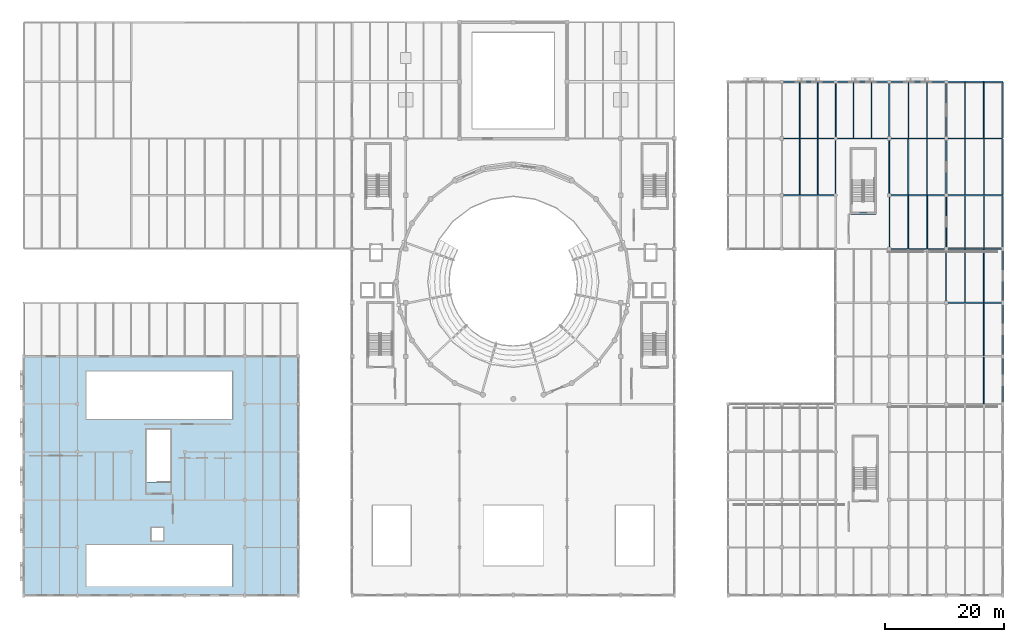
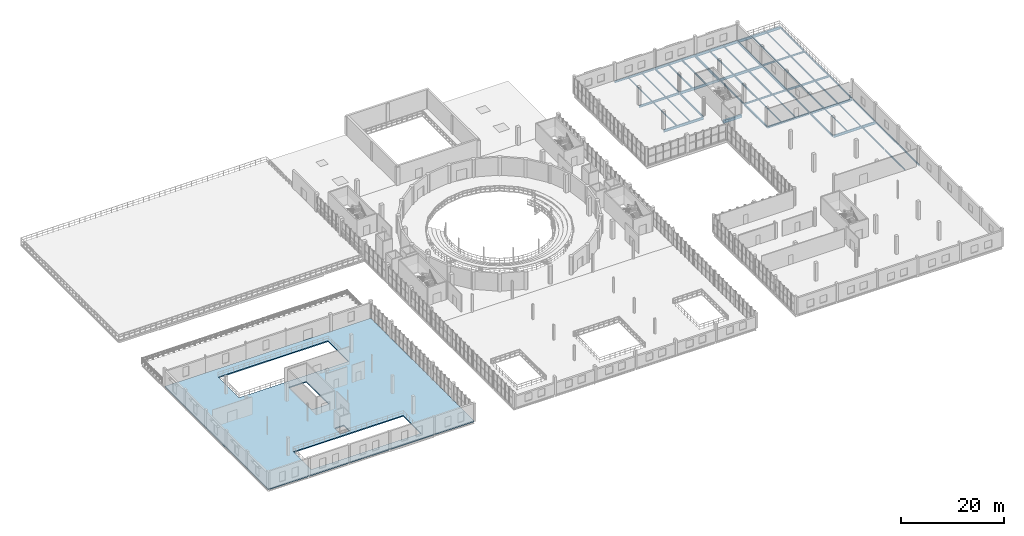
# One storey, part 44 of 73: 52 beams, 1 slab.
"""IFC4 building model written with IfcOpenShell, lengths in metres."""

from ifc_helpers import new_model, si_unit, direction, frame, origin, origin_2d, place, context, subcontext, project, spatial, polyline, rectangle, i_section, outline, extrude, material, layer, layer_set, material_profile, profile_set, type_object, element, save


model = new_model("IFC4")

# Units and contexts
model_context = context("Model", 3, precision=1e-05, world=origin(), true_north=direction((0.0, 1.0)))
body_context = subcontext(model_context, "Body", "Model", "MODEL_VIEW")
ifc_project = project(units=[si_unit("LENGTHUNIT", "METRE"), si_unit("AREAUNIT", "SQUARE_METRE"), si_unit("VOLUMEUNIT", "CUBIC_METRE"), si_unit("PLANEANGLEUNIT", "RADIAN"), si_unit("MASSUNIT", "GRAM", prefix="KILO")], contexts=[model_context])

# Site, building, storey
site_placement = place(None, origin())
site = spatial("IfcSite", under=ifc_project, at=site_placement, CompositionType="ELEMENT")
building_placement = place(site_placement, origin())
building = spatial("IfcBuilding", under=site, at=building_placement, Name="Marnock Terrace Opera House", CompositionType="ELEMENT")
storey_placement = place(building_placement, frame((0.0, 0.0, 14.699951171875)))
storey = spatial("IfcBuildingStorey", under=building, at=storey_placement, Name="L03", CompositionType="ELEMENT", Elevation=14.699951171875)

# Beams
ifc_material_1 = material(Name="Steel Grade 350 (AS/NZS 3679.1)", Category="steel")
ifc_material_profile_1 = material_profile(ifc_material_1, i_section(OverallWidth=0.1708984375, OverallDepth=0.355712890625, WebThickness=0.00732421875, FlangeThickness=0.011474609375, FilletRadius=0.011474609375, at=origin_2d()))
ifc_profile_set_1 = profile_set([ifc_material_profile_1], Name="Steel Grade 350 (AS/NZS 3679.1)")
beam_type_1 = type_object("IfcBeamType", Name="BM-GIRD-360", PredefinedType="BEAM", material=ifc_profile_set_1)
for number, where, z_axis, x_axis, name in (
    (1, (136.0, 84.550048828125, -0.437744140625), (0.0, 1.0, 0.0), (-1.0, 0.0, 0.0), "L03 girder (X=136.0, 84.5..94.0)"),
    (2, (145.0, 75.050048828125, -0.437744140625), (0.0, 1.0, 0.0), (-1.0, 0.0, 0.0), "L03 girder (X=145.0, 75.0..84.5)"),
):
    element("IfcBeam", number, at=place(storey_placement, frame(where, z_axis=z_axis, x_axis=x_axis)), inside=storey, type_object=beam_type_1, Name=name, PredefinedType="BEAM", context=body_context, shape_type="SweptSolid", body=[
        extrude(i_section(OverallWidth=0.1708984375, OverallDepth=0.355712890625, WebThickness=0.00732421875, FlangeThickness=0.011474609375, FilletRadius=0.011474609375, at=origin_2d()), origin(), (0.0, 0.0, 1.0), 9.39990234375),
    ])
beam_1_placement = place(storey_placement, frame((154.5, 66.050048828125, -0.44775390625), z_axis=(0.0, 1.0, 0.0), x_axis=(-1.0, 0.0, 0.0)))
element("IfcBeam", 3, at=beam_1_placement, inside=storey, type_object=beam_type_1, Name="L03 girder (X=154.5, 66.0..75.0)", PredefinedType="BEAM", context=body_context, shape_type="SweptSolid", body=[
    extrude(i_section(OverallWidth=0.1708984375, OverallDepth=0.355712890625, WebThickness=0.00732421875, FlangeThickness=0.011474609375, FilletRadius=0.011474609375, at=origin_2d()), origin(), (0.0, 0.0, 1.0), 8.89990234375),
])
ifc_material_profile_2 = material_profile(ifc_material_1, i_section(OverallWidth=0.177978515625, OverallDepth=0.402587890625, WebThickness=0.007568359375, FlangeThickness=0.010986328125, FilletRadius=0.011474609375, at=origin_2d()))
ifc_profile_set_2 = profile_set([ifc_material_profile_2], Name="Steel Grade 350 (AS/NZS 3679.1)")
beam_type_2 = type_object("IfcBeamType", Name="BM-GIRD-410", PredefinedType="BEAM", material=ifc_profile_set_2)
for number, where, z_axis, x_axis, name in (
    (4, (145.050048828125, 75.0, -0.47119140625), (1.0, 0.0, 0.0), (0.0, 1.0, 0.0), "L03 girder (145.0..154.5, Y=75.0)"),
    (5, (154.550048828125, 84.5, -0.47119140625), (1.0, 0.0, 0.0), (0.0, 1.0, 0.0), "L03 girder (154.5..164.0, Y=84.5)"),
):
    element("IfcBeam", number, at=place(storey_placement, frame(where, z_axis=z_axis, x_axis=x_axis)), inside=storey, type_object=beam_type_2, Name=name, PredefinedType="BEAM", context=body_context, shape_type="SweptSolid", body=[
        extrude(i_section(OverallWidth=0.177978515625, OverallDepth=0.402587890625, WebThickness=0.007568359375, FlangeThickness=0.010986328125, FilletRadius=0.011474609375, at=origin_2d()), origin(), (0.0, 0.0, 1.0), 9.39990234375),
    ])
ifc_material_profile_3 = material_profile(ifc_material_1, i_section(OverallWidth=0.19091796875, OverallDepth=0.46044921875, WebThickness=0.010009765625, FlangeThickness=0.01611328125, FilletRadius=0.011474609375, at=origin_2d()))
ifc_profile_set_3 = profile_set([ifc_material_profile_3], Name="Steel Grade 350 (AS/NZS 3679.1)")
beam_type_3 = type_object("IfcBeamType", Name="BM-GIRD-460A", PredefinedType="BEAM", material=ifc_profile_set_3)
for number, where, z_axis, x_axis, name in (
    (6, (145.050048828125, 66.0, -0.500244140625), (1.0, 0.0, 0.0), (0.0, 1.0, 0.0), "L03 girder (145.0..154.5, Y=66.0)"),
    (7, (154.550048828125, 75.0, -0.500244140625), (1.0, 0.0, 0.0), (0.0, 1.0, 0.0), "L03 girder (154.5..164.0, Y=75.0)"),
):
    element("IfcBeam", number, at=place(storey_placement, frame(where, z_axis=z_axis, x_axis=x_axis)), inside=storey, type_object=beam_type_3, Name=name, PredefinedType="BEAM", context=body_context, shape_type="SweptSolid", body=[
        extrude(i_section(OverallWidth=0.19091796875, OverallDepth=0.46044921875, WebThickness=0.010009765625, FlangeThickness=0.01611328125, FilletRadius=0.011474609375, at=origin_2d()), origin(), (0.0, 0.0, 1.0), 9.39990234375),
    ])
beam_2_placement = place(storey_placement, frame((127.050048828125, 94.0, -0.490234375), z_axis=(1.0, 0.0, 0.0), x_axis=(0.0, 1.0, 0.0)))
element("IfcBeam", 8, at=beam_2_placement, inside=storey, type_object=beam_type_3, Name="L03 girder (127.0..136.0, Y=94.0)", PredefinedType="BEAM", context=body_context, shape_type="SweptSolid", body=[
    extrude(i_section(OverallWidth=0.19091796875, OverallDepth=0.46044921875, WebThickness=0.010009765625, FlangeThickness=0.01611328125, FilletRadius=0.011474609375, at=origin_2d()), origin(), (0.0, 0.0, 1.0), 8.89990234375),
])
ifc_material_profile_4 = material_profile(ifc_material_1, i_section(OverallWidth=0.18994140625, OverallDepth=0.45751953125, WebThickness=0.009033203125, FlangeThickness=0.014404296875, FilletRadius=0.011474609375, at=origin_2d()))
ifc_profile_set_4 = profile_set([ifc_material_profile_4], Name="Steel Grade 350 (AS/NZS 3679.1)")
beam_type_4 = type_object("IfcBeamType", Name="BM-GIRD-460B", PredefinedType="BEAM", material=ifc_profile_set_4)
beam_3_placement = place(storey_placement, frame((136.0, 75.050048828125, -0.48876953125), z_axis=(0.0, 1.0, 0.0), x_axis=(-1.0, 0.0, 0.0)))
element("IfcBeam", 9, at=beam_3_placement, inside=storey, type_object=beam_type_4, Name="L03 girder (X=136.0, 75.0..84.5)", PredefinedType="BEAM", context=body_context, shape_type="SweptSolid", body=[
    extrude(i_section(OverallWidth=0.18994140625, OverallDepth=0.45751953125, WebThickness=0.009033203125, FlangeThickness=0.014404296875, FilletRadius=0.011474609375, at=origin_2d()), origin(), (0.0, 0.0, 1.0), 9.39990234375),
])
for number, where, z_axis, x_axis, name in (
    (10, (145.0, 66.050048828125, -0.48876953125), (0.0, 1.0, 0.0), (-1.0, 0.0, 0.0), "L03 girder (X=145.0, 66.0..75.0)"),
    (11, (154.5, 57.050048828125, -0.49853515625), (0.0, 1.0, 0.0), (-1.0, 0.0, 0.0), "L03 girder (X=154.5, 57.0..66.0)"),
):
    element("IfcBeam", number, at=place(storey_placement, frame(where, z_axis=z_axis, x_axis=x_axis)), inside=storey, type_object=beam_type_4, Name=name, PredefinedType="BEAM", context=body_context, shape_type="SweptSolid", body=[
        extrude(i_section(OverallWidth=0.18994140625, OverallDepth=0.45751953125, WebThickness=0.009033203125, FlangeThickness=0.014404296875, FilletRadius=0.011474609375, at=origin_2d()), origin(), (0.0, 0.0, 1.0), 8.89990234375),
    ])
ifc_material_profile_5 = material_profile(ifc_material_1, i_section(OverallWidth=0.208984375, OverallDepth=0.532958984375, WebThickness=0.01025390625, FlangeThickness=0.015625, FilletRadius=0.013916015625, at=origin_2d()))
ifc_profile_set_5 = profile_set([ifc_material_profile_5], Name="Steel Grade 350 (AS/NZS 3679.1)")
beam_type_5 = type_object("IfcBeamType", Name="BM-GIRD-530A", PredefinedType="BEAM", material=ifc_profile_set_5)
beam_4_placement = place(storey_placement, frame((154.550048828125, 66.0, -0.536376953125), z_axis=(1.0, 0.0, 0.0), x_axis=(0.0, 1.0, 0.0)))
element("IfcBeam", 12, at=beam_4_placement, inside=storey, type_object=beam_type_5, Name="L03 girder (154.5..164.0, Y=66.0)", PredefinedType="BEAM", context=body_context, shape_type="SweptSolid", body=[
    extrude(i_section(OverallWidth=0.208984375, OverallDepth=0.532958984375, WebThickness=0.01025390625, FlangeThickness=0.015625, FilletRadius=0.013916015625, at=origin_2d()), origin(), (0.0, 0.0, 1.0), 9.39990234375),
])
for number, where, z_axis, x_axis, name in (
    (13, (127.050048828125, 84.5, -0.5263671875), (1.0, 0.0, 0.0), (0.0, 1.0, 0.0), "L03 girder (127.0..136.0, Y=84.5)"),
    (14, (136.050048828125, 94.0, -0.5263671875), (1.0, 0.0, 0.0), (0.0, 1.0, 0.0), "L03 girder (136.0..145.0, Y=94.0)"),
):
    element("IfcBeam", number, at=place(storey_placement, frame(where, z_axis=z_axis, x_axis=x_axis)), inside=storey, type_object=beam_type_5, Name=name, PredefinedType="BEAM", context=body_context, shape_type="SweptSolid", body=[
        extrude(i_section(OverallWidth=0.208984375, OverallDepth=0.532958984375, WebThickness=0.01025390625, FlangeThickness=0.015625, FilletRadius=0.013916015625, at=origin_2d()), origin(), (0.0, 0.0, 1.0), 8.89990234375),
    ])
ifc_material_profile_6 = material_profile(ifc_material_1, i_section(OverallWidth=0.208984375, OverallDepth=0.528076171875, WebThickness=0.009521484375, FlangeThickness=0.01318359375, FilletRadius=0.013916015625, at=origin_2d()))
ifc_profile_set_6 = profile_set([ifc_material_profile_6], Name="Steel Grade 350 (AS/NZS 3679.1)")
beam_type_6 = type_object("IfcBeamType", Name="BM-GIRD-530B", PredefinedType="BEAM", material=ifc_profile_set_6)
beam_5_placement = place(storey_placement, frame((154.5, 84.550048828125, -0.533935546875), z_axis=(0.0, 1.0, 0.0), x_axis=(-1.0, 0.0, 0.0)))
element("IfcBeam", 15, at=beam_5_placement, inside=storey, type_object=beam_type_6, Name="L03 girder (X=154.5, 84.5..94.0)", PredefinedType="BEAM", context=body_context, shape_type="SweptSolid", body=[
    extrude(i_section(OverallWidth=0.208984375, OverallDepth=0.528076171875, WebThickness=0.009521484375, FlangeThickness=0.01318359375, FilletRadius=0.013916015625, at=origin_2d()), origin(), (0.0, 0.0, 1.0), 9.39990234375),
])
ifc_material_profile_7 = material_profile(ifc_material_1, i_section(OverallWidth=0.22900390625, OverallDepth=0.611572265625, WebThickness=0.011962890625, FlangeThickness=0.01953125, FilletRadius=0.013916015625, at=origin_2d()))
ifc_profile_set_7 = profile_set([ifc_material_profile_7], Name="Steel Grade 350 (AS/NZS 3679.1)")
beam_type_7 = type_object("IfcBeamType", Name="BM-GIRD-610A", PredefinedType="BEAM", material=ifc_profile_set_7)
for number, where, z_axis, x_axis, name in (
    (16, (145.050048828125, 84.5, -0.57568359375), (1.0, 0.0, 0.0), (0.0, 1.0, 0.0), "L03 girder (145.0..154.5, Y=84.5)"),
    (17, (154.550048828125, 94.0, -0.57568359375), (1.0, 0.0, 0.0), (0.0, 1.0, 0.0), "L03 girder (154.5..164.0, Y=94.0)"),
):
    element("IfcBeam", number, at=place(storey_placement, frame(where, z_axis=z_axis, x_axis=x_axis)), inside=storey, type_object=beam_type_7, Name=name, PredefinedType="BEAM", context=body_context, shape_type="SweptSolid", body=[
        extrude(i_section(OverallWidth=0.22900390625, OverallDepth=0.611572265625, WebThickness=0.011962890625, FlangeThickness=0.01953125, FilletRadius=0.013916015625, at=origin_2d()), origin(), (0.0, 0.0, 1.0), 9.39990234375),
    ])
ifc_material_profile_8 = material_profile(ifc_material_1, i_section(OverallWidth=0.22802734375, OverallDepth=0.60693359375, WebThickness=0.01123046875, FlangeThickness=0.017333984375, FilletRadius=0.013916015625, at=origin_2d()))
ifc_profile_set_8 = profile_set([ifc_material_profile_8], Name="Steel Grade 350 (AS/NZS 3679.1)")
beam_type_8 = type_object("IfcBeamType", Name="BM-GIRD-610B", PredefinedType="BEAM", material=ifc_profile_set_8)
beam_6_placement = place(storey_placement, frame((154.550048828125, 57.0, -0.5634765625), z_axis=(1.0, 0.0, 0.0), x_axis=(0.0, 1.0, 0.0)))
element("IfcBeam", 18, at=beam_6_placement, inside=storey, type_object=beam_type_8, Name="L03 girder (154.5..164.0, Y=57.0)", PredefinedType="BEAM", context=body_context, shape_type="SweptSolid", body=[
    extrude(i_section(OverallWidth=0.22802734375, OverallDepth=0.60693359375, WebThickness=0.01123046875, FlangeThickness=0.017333984375, FilletRadius=0.013916015625, at=origin_2d()), origin(), (0.0, 0.0, 1.0), 9.39990234375),
])
for number, where, z_axis, x_axis, name in (
    (19, (127.050048828125, 75.0, -0.5634765625), (1.0, 0.0, 0.0), (0.0, 1.0, 0.0), "L03 girder (127.0..136.0, Y=75.0)"),
    (20, (136.050048828125, 84.5, -0.5634765625), (1.0, 0.0, 0.0), (0.0, 1.0, 0.0), "L03 girder (136.0..145.0, Y=84.5)"),
):
    element("IfcBeam", number, at=place(storey_placement, frame(where, z_axis=z_axis, x_axis=x_axis)), inside=storey, type_object=beam_type_8, Name=name, PredefinedType="BEAM", context=body_context, shape_type="SweptSolid", body=[
        extrude(i_section(OverallWidth=0.22802734375, OverallDepth=0.60693359375, WebThickness=0.01123046875, FlangeThickness=0.017333984375, FilletRadius=0.013916015625, at=origin_2d()), origin(), (0.0, 0.0, 1.0), 8.89990234375),
    ])
beam_7_placement = place(storey_placement, frame((145.050048828125, 94.0, -0.573486328125), z_axis=(1.0, 0.0, 0.0), x_axis=(0.0, 1.0, 0.0)))
element("IfcBeam", 21, at=beam_7_placement, inside=storey, type_object=beam_type_8, Name="L03 girder (145.0..154.5, Y=94.0)", PredefinedType="BEAM", context=body_context, shape_type="SweptSolid", body=[
    extrude(i_section(OverallWidth=0.22802734375, OverallDepth=0.60693359375, WebThickness=0.01123046875, FlangeThickness=0.017333984375, FilletRadius=0.013916015625, at=origin_2d()), origin(), (0.0, 0.0, 1.0), 9.39990234375),
])
ifc_material_profile_9 = material_profile(ifc_material_1, i_section(OverallWidth=0.22802734375, OverallDepth=0.60205078125, WebThickness=0.010498046875, FlangeThickness=0.014892578125, FilletRadius=0.013916015625, at=origin_2d()))
ifc_profile_set_9 = profile_set([ifc_material_profile_9], Name="Steel Grade 350 (AS/NZS 3679.1)")
beam_type_9 = type_object("IfcBeamType", Name="BM-GIRD-610C", PredefinedType="BEAM", material=ifc_profile_set_9)
for number, where, z_axis, x_axis, name in (
    (22, (145.0, 84.550048828125, -0.56103515625), (0.0, 1.0, 0.0), (-1.0, 0.0, 0.0), "L03 girder (X=145.0, 84.5..94.0)"),
    (23, (154.5, 75.050048828125, -0.571044921875), (0.0, 1.0, 0.0), (-1.0, 0.0, 0.0), "L03 girder (X=154.5, 75.0..84.5)"),
):
    element("IfcBeam", number, at=place(storey_placement, frame(where, z_axis=z_axis, x_axis=x_axis)), inside=storey, type_object=beam_type_9, Name=name, PredefinedType="BEAM", context=body_context, shape_type="SweptSolid", body=[
        extrude(i_section(OverallWidth=0.22802734375, OverallDepth=0.60205078125, WebThickness=0.010498046875, FlangeThickness=0.014892578125, FilletRadius=0.013916015625, at=origin_2d()), origin(), (0.0, 0.0, 1.0), 9.39990234375),
    ])
ifc_material_profile_10 = material_profile(ifc_material_1, i_section(OverallWidth=0.14599609375, OverallDepth=0.256103515625, WebThickness=0.00634765625, FlangeThickness=0.010986328125, FilletRadius=0.0087890625, at=origin_2d()))
ifc_profile_set_10 = profile_set([ifc_material_profile_10], Name="Steel Grade 350 (AS/NZS 3679.1)")
beam_type_10 = type_object("IfcBeamType", Name="BM-JOIST-250", PredefinedType="JOIST", material=ifc_profile_set_10)
for number, where, z_axis, x_axis, name in (
    (24, (130.0, 84.599609375, -0.387939453125), (0.0, 1.0, 0.0), (-1.0, 0.0, 0.0), "L03 secondary joist 14.10.1"),
    (25, (133.0, 84.599609375, -0.387939453125), (0.0, 1.0, 0.0), (-1.0, 0.0, 0.0), "L03 secondary joist 14.10.2"),
):
    element("IfcBeam", number, at=place(storey_placement, frame(where, z_axis=z_axis, x_axis=x_axis)), inside=storey, type_object=beam_type_10, Name=name, PredefinedType="JOIST", context=body_context, shape_type="SweptSolid", body=[
        extrude(i_section(OverallWidth=0.14599609375, OverallDepth=0.256103515625, WebThickness=0.00634765625, FlangeThickness=0.010986328125, FilletRadius=0.0087890625, at=origin_2d()), origin(), (0.0, 0.0, 1.0), 9.309814453125),
    ])
for number, where, z_axis, x_axis, name in (
    (26, (148.166748046875, 66.090576171875, -0.387939453125), (0.0, 1.0, 0.0), (-1.0, 0.0, 0.0), "L03 secondary joist 16.8.1"),
    (27, (151.333251953125, 66.090576171875, -0.387939453125), (0.0, 1.0, 0.0), (-1.0, 0.0, 0.0), "L03 secondary joist 16.8.2"),
):
    element("IfcBeam", number, at=place(storey_placement, frame(where, z_axis=z_axis, x_axis=x_axis)), inside=storey, type_object=beam_type_10, Name=name, PredefinedType="JOIST", context=body_context, shape_type="SweptSolid", body=[
        extrude(i_section(OverallWidth=0.14599609375, OverallDepth=0.256103515625, WebThickness=0.00634765625, FlangeThickness=0.010986328125, FilletRadius=0.0087890625, at=origin_2d()), origin(), (0.0, 0.0, 1.0), 8.825439453125),
    ])
for number, where, z_axis, x_axis, name in (
    (28, (157.666748046875, 57.10888671875, -0.39794921875), (0.0, 1.0, 0.0), (-1.0, 0.0, 0.0), "L03 secondary joist 17.7.1"),
    (29, (160.833251953125, 57.10888671875, -0.39794921875), (0.0, 1.0, 0.0), (-1.0, 0.0, 0.0), "L03 secondary joist 17.7.2"),
):
    element("IfcBeam", number, at=place(storey_placement, frame(where, z_axis=z_axis, x_axis=x_axis)), inside=storey, type_object=beam_type_10, Name=name, PredefinedType="JOIST", context=body_context, shape_type="SweptSolid", body=[
        extrude(i_section(OverallWidth=0.14599609375, OverallDepth=0.256103515625, WebThickness=0.00634765625, FlangeThickness=0.010986328125, FilletRadius=0.0087890625, at=origin_2d()), origin(), (0.0, 0.0, 1.0), 8.79150390625),
    ])
ifc_material_profile_11 = material_profile(ifc_material_1, i_section(OverallWidth=0.166015625, OverallDepth=0.30712890625, WebThickness=0.006591796875, FlangeThickness=0.01171875, FilletRadius=0.011474609375, at=origin_2d()))
ifc_profile_set_11 = profile_set([ifc_material_profile_11], Name="Steel Grade 350 (AS/NZS 3679.1)")
beam_type_11 = type_object("IfcBeamType", Name="BM-JOIST-310A", PredefinedType="JOIST", material=ifc_profile_set_11)
beam_8_placement = place(storey_placement, frame((160.833251953125, 40.083984375, -0.41357421875), z_axis=(0.0, 1.0, 0.0), x_axis=(-1.0, 0.0, 0.0)))
element("IfcBeam", 30, at=beam_8_placement, inside=storey, type_object=beam_type_11, Name="L03 secondary joist 17.5.2", PredefinedType="JOIST", context=body_context, shape_type="SweptSolid", body=[
    extrude(i_section(OverallWidth=0.166015625, OverallDepth=0.30712890625, WebThickness=0.006591796875, FlangeThickness=0.01171875, FilletRadius=0.011474609375, at=origin_2d()), origin(), (0.0, 0.0, 1.0), 7.806396484375),
])
for number, where, z_axis, x_axis, name in (
    (31, (157.666748046875, 84.583984375, -0.423583984375), (0.0, 1.0, 0.0), (-1.0, 0.0, 0.0), "L03 secondary joist 17.10.1"),
    (32, (160.833251953125, 84.583984375, -0.423583984375), (0.0, 1.0, 0.0), (-1.0, 0.0, 0.0), "L03 secondary joist 17.10.2"),
):
    element("IfcBeam", number, at=place(storey_placement, frame(where, z_axis=z_axis, x_axis=x_axis)), inside=storey, type_object=beam_type_11, Name=name, PredefinedType="JOIST", context=body_context, shape_type="SweptSolid", body=[
        extrude(i_section(OverallWidth=0.166015625, OverallDepth=0.30712890625, WebThickness=0.006591796875, FlangeThickness=0.01171875, FilletRadius=0.011474609375, at=origin_2d()), origin(), (0.0, 0.0, 1.0), 9.306396484375),
    ])
ifc_material_profile_12 = material_profile(ifc_material_1, i_section(OverallWidth=0.1650390625, OverallDepth=0.3037109375, WebThickness=0.006103515625, FlangeThickness=0.01025390625, FilletRadius=0.011474609375, at=origin_2d()))
ifc_profile_set_12 = profile_set([ifc_material_profile_12], Name="Steel Grade 350 (AS/NZS 3679.1)")
beam_type_12 = type_object("IfcBeamType", Name="BM-JOIST-310B", PredefinedType="JOIST", material=ifc_profile_set_12)
for number, where, z_axis, x_axis, name in (
    (33, (130.0, 75.10888671875, -0.411865234375), (0.0, 1.0, 0.0), (-1.0, 0.0, 0.0), "L03 secondary joist 14.9.1"),
    (34, (133.0, 75.10888671875, -0.411865234375), (0.0, 1.0, 0.0), (-1.0, 0.0, 0.0), "L03 secondary joist 14.9.2"),
):
    element("IfcBeam", number, at=place(storey_placement, frame(where, z_axis=z_axis, x_axis=x_axis)), inside=storey, type_object=beam_type_12, Name=name, PredefinedType="JOIST", context=body_context, shape_type="SweptSolid", body=[
        extrude(i_section(OverallWidth=0.1650390625, OverallDepth=0.3037109375, WebThickness=0.006103515625, FlangeThickness=0.01025390625, FilletRadius=0.011474609375, at=origin_2d()), origin(), (0.0, 0.0, 1.0), 9.29150390625),
    ])
beam_9_placement = place(storey_placement, frame((160.833251953125, 48.109619140625, -0.411865234375), z_axis=(0.0, 1.0, 0.0), x_axis=(-1.0, 0.0, 0.0)))
element("IfcBeam", 35, at=beam_9_placement, inside=storey, type_object=beam_type_12, Name="L03 secondary joist 17.6.2", PredefinedType="JOIST", context=body_context, shape_type="SweptSolid", body=[
    extrude(i_section(OverallWidth=0.1650390625, OverallDepth=0.3037109375, WebThickness=0.006103515625, FlangeThickness=0.01025390625, FilletRadius=0.011474609375, at=origin_2d()), origin(), (0.0, 0.0, 1.0), 8.781494140625),
])
ifc_material_profile_13 = material_profile(ifc_material_1, i_section(OverallWidth=0.172119140625, OverallDepth=0.358642578125, WebThickness=0.008056640625, FlangeThickness=0.012939453125, FilletRadius=0.011474609375, at=origin_2d()))
ifc_profile_set_13 = profile_set([ifc_material_profile_13], Name="Steel Grade 350 (AS/NZS 3679.1)")
beam_type_13 = type_object("IfcBeamType", Name="BM-JOIST-360", PredefinedType="JOIST", material=ifc_profile_set_13)
for number, where, z_axis, x_axis, name in (
    (36, (148.166748046875, 84.609619140625, -0.439208984375), (0.0, 1.0, 0.0), (-1.0, 0.0, 0.0), "L03 secondary joist 16.10.1"),
    (37, (151.333251953125, 84.609619140625, -0.439208984375), (0.0, 1.0, 0.0), (-1.0, 0.0, 0.0), "L03 secondary joist 16.10.2"),
):
    element("IfcBeam", number, at=place(storey_placement, frame(where, z_axis=z_axis, x_axis=x_axis)), inside=storey, type_object=beam_type_13, Name=name, PredefinedType="JOIST", context=body_context, shape_type="SweptSolid", body=[
        extrude(i_section(OverallWidth=0.172119140625, OverallDepth=0.358642578125, WebThickness=0.008056640625, FlangeThickness=0.012939453125, FilletRadius=0.011474609375, at=origin_2d()), origin(), (0.0, 0.0, 1.0), 9.281494140625),
    ])
for number, where, z_axis, x_axis, name in (
    (38, (157.666748046875, 75.090576171875, -0.44921875), (0.0, 1.0, 0.0), (-1.0, 0.0, 0.0), "L03 secondary joist 17.9.1"),
    (39, (160.833251953125, 75.090576171875, -0.44921875), (0.0, 1.0, 0.0), (-1.0, 0.0, 0.0), "L03 secondary joist 17.9.2"),
):
    element("IfcBeam", number, at=place(storey_placement, frame(where, z_axis=z_axis, x_axis=x_axis)), inside=storey, type_object=beam_type_13, Name=name, PredefinedType="JOIST", context=body_context, shape_type="SweptSolid", body=[
        extrude(i_section(OverallWidth=0.172119140625, OverallDepth=0.358642578125, WebThickness=0.008056640625, FlangeThickness=0.012939453125, FilletRadius=0.011474609375, at=origin_2d()), origin(), (0.0, 0.0, 1.0), 9.325439453125),
    ])
ifc_material_profile_14 = material_profile(ifc_material_1, i_section(OverallWidth=0.177978515625, OverallDepth=0.406494140625, WebThickness=0.0078125, FlangeThickness=0.0126953125, FilletRadius=0.011474609375, at=origin_2d()))
ifc_profile_set_14 = profile_set([ifc_material_profile_14], Name="Steel Grade 350 (AS/NZS 3679.1)")
beam_type_14 = type_object("IfcBeamType", Name="BM-JOIST-410", PredefinedType="JOIST", material=ifc_profile_set_14)
for number, where, z_axis, x_axis, name in (
    (40, (139.0, 84.60888671875, -0.463134765625), (0.0, 1.0, 0.0), (-1.0, 0.0, 0.0), "L03 secondary joist 15.10.1"),
    (41, (142.0, 84.60888671875, -0.463134765625), (0.0, 1.0, 0.0), (-1.0, 0.0, 0.0), "L03 secondary joist 15.10.2"),
):
    element("IfcBeam", number, at=place(storey_placement, frame(where, z_axis=z_axis, x_axis=x_axis)), inside=storey, type_object=beam_type_14, Name=name, PredefinedType="JOIST", context=body_context, shape_type="SweptSolid", body=[
        extrude(i_section(OverallWidth=0.177978515625, OverallDepth=0.406494140625, WebThickness=0.0078125, FlangeThickness=0.0126953125, FilletRadius=0.011474609375, at=origin_2d()), origin(), (0.0, 0.0, 1.0), 9.29150390625),
    ])
for number, where, z_axis, x_axis, name in (
    (42, (148.166748046875, 75.083984375, -0.463134765625), (0.0, 1.0, 0.0), (-1.0, 0.0, 0.0), "L03 secondary joist 16.9.1"),
    (43, (151.333251953125, 75.083984375, -0.463134765625), (0.0, 1.0, 0.0), (-1.0, 0.0, 0.0), "L03 secondary joist 16.9.2"),
):
    element("IfcBeam", number, at=place(storey_placement, frame(where, z_axis=z_axis, x_axis=x_axis)), inside=storey, type_object=beam_type_14, Name=name, PredefinedType="JOIST", context=body_context, shape_type="SweptSolid", body=[
        extrude(i_section(OverallWidth=0.177978515625, OverallDepth=0.406494140625, WebThickness=0.0078125, FlangeThickness=0.0126953125, FilletRadius=0.011474609375, at=origin_2d()), origin(), (0.0, 0.0, 1.0), 9.306396484375),
    ])
for number, where, z_axis, x_axis, name in (
    (44, (157.666748046875, 66.099609375, -0.47314453125), (0.0, 1.0, 0.0), (-1.0, 0.0, 0.0), "L03 secondary joist 17.8.1"),
    (45, (160.833251953125, 66.099609375, -0.47314453125), (0.0, 1.0, 0.0), (-1.0, 0.0, 0.0), "L03 secondary joist 17.8.2"),
):
    element("IfcBeam", number, at=place(storey_placement, frame(where, z_axis=z_axis, x_axis=x_axis)), inside=storey, type_object=beam_type_14, Name=name, PredefinedType="JOIST", context=body_context, shape_type="SweptSolid", body=[
        extrude(i_section(OverallWidth=0.177978515625, OverallDepth=0.406494140625, WebThickness=0.0078125, FlangeThickness=0.0126953125, FilletRadius=0.011474609375, at=origin_2d()), origin(), (0.0, 0.0, 1.0), 8.809814453125),
    ])
ifc_material_2 = material(Name="Concrete N40 (f'c = 40 MPa)", Category="concrete")
ifc_material_profile_15 = material_profile(ifc_material_2, rectangle(XDim=0.39990234375, YDim=0.64990234375, at=origin_2d()))
ifc_profile_set_15 = profile_set([ifc_material_profile_15], Name="Concrete N40 (f'c = 40 MPa)")
beam_type_15 = type_object("IfcBeamType", Name="BM-LINT-RC400", PredefinedType="LINTEL", material=ifc_profile_set_15)
beam_10_placement = place(storey_placement, frame((138.52001953125, 72.0, -0.60986328125), z_axis=(1.0, 0.0, 0.0), x_axis=(0.0, 1.0, 0.0)))
element("IfcBeam", 46, at=beam_10_placement, inside=storey, type_object=beam_type_15, Name="L02 Core C8 coupling lintel", PredefinedType="LINTEL", context=body_context, shape_type="SweptSolid", body=[
    extrude(rectangle(XDim=0.39990234375, YDim=0.64990234375, at=origin_2d()), origin(), (0.0, 0.0, 1.0), 4.199951171875),
])
ifc_material_profile_16 = material_profile(ifc_material_1, i_section(OverallWidth=0.172119140625, OverallDepth=0.358642578125, WebThickness=0.008056640625, FlangeThickness=0.012939453125, FilletRadius=0.011474609375, at=origin_2d()))
ifc_profile_set_16 = profile_set([ifc_material_profile_16], Name="Steel Grade 350 (AS/NZS 3679.1)")
beam_type_16 = type_object("IfcBeamType", Name="BM-SPAN-360", PredefinedType="SPANDREL", material=ifc_profile_set_16)
beam_11_placement = place(storey_placement, frame((164.0, 40.050048828125, -0.439208984375), z_axis=(0.0, 1.0, 0.0), x_axis=(-1.0, 0.0, 0.0)))
element("IfcBeam", 47, at=beam_11_placement, inside=storey, type_object=beam_type_16, Name="L03 girder (X=164.0, 40.0..48.0)", PredefinedType="SPANDREL", context=body_context, shape_type="SweptSolid", body=[
    extrude(i_section(OverallWidth=0.172119140625, OverallDepth=0.358642578125, WebThickness=0.008056640625, FlangeThickness=0.012939453125, FilletRadius=0.011474609375, at=origin_2d()), origin(), (0.0, 0.0, 1.0), 7.89990234375),
])
for number, where, z_axis, x_axis, name in (
    (48, (164.0, 48.050048828125, -0.439208984375), (0.0, 1.0, 0.0), (-1.0, 0.0, 0.0), "L03 girder (X=164.0, 48.0..57.0)"),
    (49, (164.0, 57.050048828125, -0.44921875), (0.0, 1.0, 0.0), (-1.0, 0.0, 0.0), "L03 girder (X=164.0, 57.0..66.0)"),
    (50, (164.0, 66.050048828125, -0.44921875), (0.0, 1.0, 0.0), (-1.0, 0.0, 0.0), "L03 girder (X=164.0, 66.0..75.0)"),
):
    element("IfcBeam", number, at=place(storey_placement, frame(where, z_axis=z_axis, x_axis=x_axis)), inside=storey, type_object=beam_type_16, Name=name, PredefinedType="SPANDREL", context=body_context, shape_type="SweptSolid", body=[
        extrude(i_section(OverallWidth=0.172119140625, OverallDepth=0.358642578125, WebThickness=0.008056640625, FlangeThickness=0.012939453125, FilletRadius=0.011474609375, at=origin_2d()), origin(), (0.0, 0.0, 1.0), 8.89990234375),
    ])
for number, where, z_axis, x_axis, name in (
    (51, (164.0, 75.050048828125, -0.44921875), (0.0, 1.0, 0.0), (-1.0, 0.0, 0.0), "L03 girder (X=164.0, 75.0..84.5)"),
    (52, (164.0, 84.550048828125, -0.44921875), (0.0, 1.0, 0.0), (-1.0, 0.0, 0.0), "L03 girder (X=164.0, 84.5..94.0)"),
):
    element("IfcBeam", number, at=place(storey_placement, frame(where, z_axis=z_axis, x_axis=x_axis)), inside=storey, type_object=beam_type_16, Name=name, PredefinedType="SPANDREL", context=body_context, shape_type="SweptSolid", body=[
        extrude(i_section(OverallWidth=0.172119140625, OverallDepth=0.358642578125, WebThickness=0.008056640625, FlangeThickness=0.012939453125, FilletRadius=0.011474609375, at=origin_2d()), origin(), (0.0, 0.0, 1.0), 9.39990234375),
    ])

# Slab
ifc_layer = layer(ifc_material_2, 0.260009765625)
ifc_layer_set = layer_set([ifc_layer], Name="Concrete N40 (f'c = 40 MPa)")
slab_type = type_object("IfcSlabType", Name="SL-FLR-260", PredefinedType="FLOOR", material=ifc_layer_set)
slab_placement = place(storey_placement, frame((0.0, 0.0, -0.260009765625)))
element("IfcSlab", 53, at=slab_placement, inside=storey, type_object=slab_type, Name="L03 Chamber and Rehearsal Wing floor slab", PredefinedType="FLOOR", context=body_context, shape_type="SweptSolid", body=[
    extrude(outline(polyline([(0.0, 8.0), (46.0, 8.0), (46.0, 48.0), (0.0, 48.0), (0.0, 8.0)]), holes=[polyline([(24.52001953125, 26.9599609375), (24.52001953125, 35.719970703125), (20.639892578125, 35.719970703125), (20.639892578125, 26.9599609375), (24.52001953125, 26.9599609375)]), polyline([(21.3798828125, 17.080078125), (23.419921875, 17.080078125), (23.419921875, 19.320068359375), (21.3798828125, 19.320068359375), (21.3798828125, 17.080078125)]), polyline([(10.5, 9.5), (35.0, 9.5), (35.0, 16.39990234375), (10.5, 16.39990234375), (10.5, 9.5)]), polyline([(10.5, 37.5), (35.0, 37.5), (35.0, 45.5), (10.5, 45.5), (10.5, 37.5)])]), origin(), (0.0, 0.0, 1.0), 0.260009765625),
])

save(model, "model.ifc")
